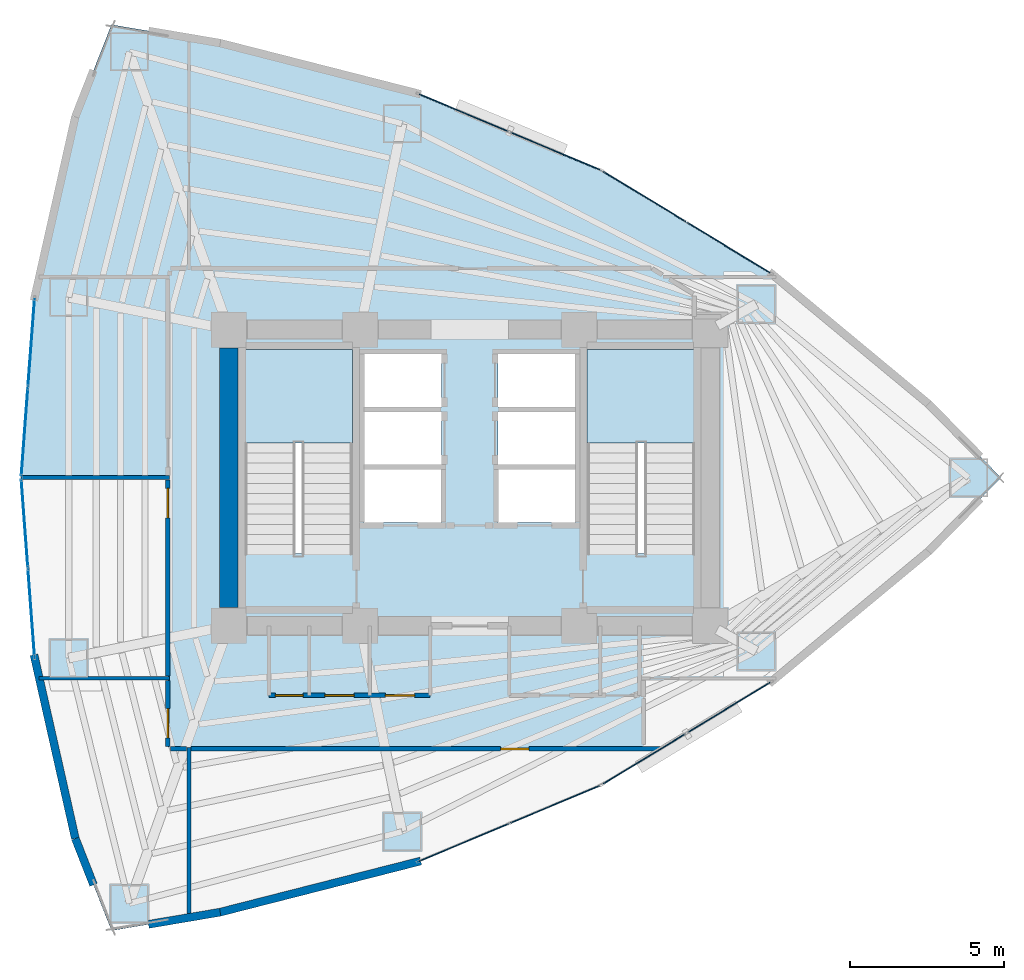
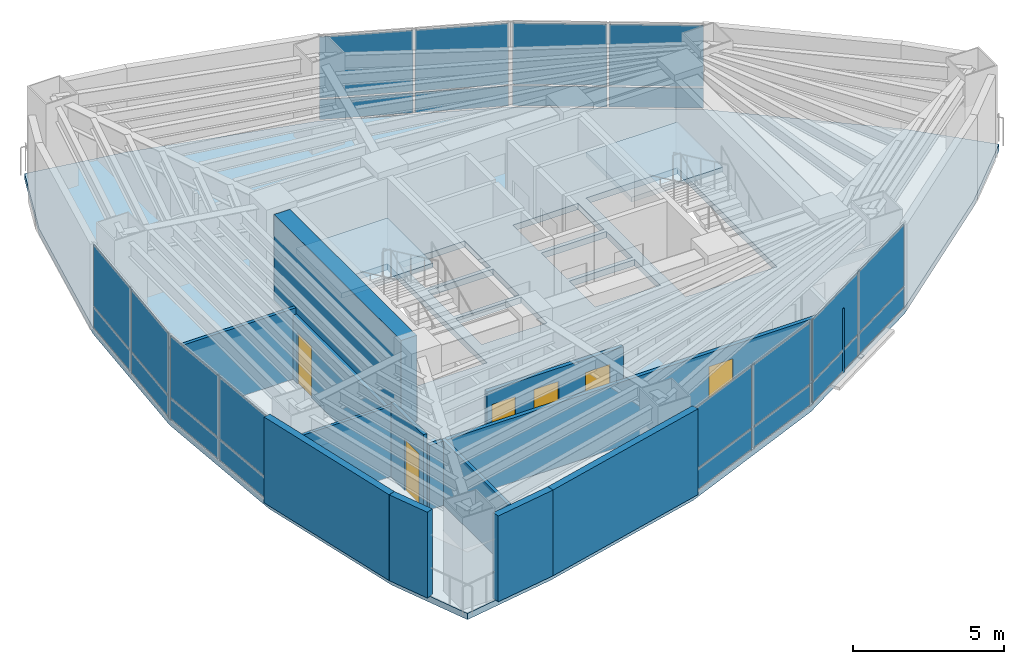
# One storey, part 12 of 16: 24 plates, 13 walls, 6 doors, 3 slabs, 6 openings, 8 elements without a shape of their own.
"""IFC4 building model written with IfcOpenShell, lengths in metres."""

import ifcopenshell
import ifcopenshell.guid

model = None  # the IFC model being written
_history = None  # IfcOwnerHistory: only IFC2X3 demands one
_inside = {}  # id of a spatial element -> (the spatial element, [elements in it])
_under = {}  # id of a project, library or spatial element -> (it, [spatial elements below it])
_declared = {}  # id of a project -> (the project, [libraries it declares])
_typed = {}  # id of a type object -> (the type object, [elements of that type])
_made_of = {}  # id of a material, layer set ... -> (it, [elements and type objects made of it])


def new_model(schema):
    """Start an empty IFC model of exactly this schema.

    Asked for "IFC4X3", IfcOpenShell would pick the latest addendum, in which some entities
    have other attributes; the version numbers below select the first issue.
    IFC2X3 requires an IfcOwnerHistory on every rooted entity: one is made here for all.
    """
    global model, _history
    if schema == "IFC4X3":
        model = ifcopenshell.file(schema_version=(4, 3, 0, 0))
    else:
        model = ifcopenshell.file(schema=schema)
    _inside.clear()
    _under.clear()
    _declared.clear()
    _typed.clear()
    _made_of.clear()
    _history = None
    if model.schema == "IFC2X3":
        org = make("IfcOrganization", Name="unknown")
        user = make(
            "IfcPersonAndOrganization",
            ThePerson=make("IfcPerson", FamilyName="unknown"),
            TheOrganization=org,
        )
        app = make(
            "IfcApplication",
            ApplicationDeveloper=org,
            Version="unknown",
            ApplicationFullName="unknown",
            ApplicationIdentifier="unknown",
        )
        _history = make(
            "IfcOwnerHistory",
            OwningUser=user,
            OwningApplication=app,
            ChangeAction="ADDED",
            CreationDate=0,
        )
    return model


def make(cls, **values):
    """One entity of the class cls with the attributes given. An attribute that is None is left unset."""
    return model.create_entity(
        cls, **{name: value for name, value in values.items() if value is not None}
    )


def rooted(cls, **values):
    """An entity with a GlobalId (a new one), such as an element, a storey or a relation."""
    return make(cls, GlobalId=ifcopenshell.guid.new(), OwnerHistory=_history, **values)


def si_unit(unit_type, name, prefix=None):
    """IfcSIUnit, for example si_unit("LENGTHUNIT", "METRE", prefix="MILLI")."""
    return make("IfcSIUnit", UnitType=unit_type, Prefix=prefix, Name=name)


def assignment(units):
    """IfcUnitAssignment: the units of a project."""
    return None if units is None else make("IfcUnitAssignment", Units=units)


def point(xyz):
    """IfcCartesianPoint."""
    return None if xyz is None else make("IfcCartesianPoint", Coordinates=xyz)


def direction(xyz):
    """IfcDirection."""
    return None if xyz is None else make("IfcDirection", DirectionRatios=xyz)


def frame(location, z_axis=None, x_axis=None):
    """IfcAxis2Placement3D, a coordinate frame: its origin and axes. An axis left out is left unset."""
    return make(
        "IfcAxis2Placement3D",
        Location=point(location),
        Axis=direction(z_axis),
        RefDirection=direction(x_axis),
    )


def frame_2d(location, x_axis=None):
    """IfcAxis2Placement2D, a coordinate frame in the plane: its origin and x axis."""
    return make(
        "IfcAxis2Placement2D", Location=point(location), RefDirection=direction(x_axis)
    )


def origin():
    """The frame at (0, 0, 0) with its axes left unset."""
    return frame((0.0, 0.0, 0.0))


def origin_2d():
    """The frame at (0, 0) in the plane with its x axis left unset."""
    return frame_2d((0.0, 0.0))


def place(relative_to, where):
    """IfcLocalPlacement: puts the frame where relative to a parent placement (None: the world)."""
    return make(
        "IfcLocalPlacement", PlacementRelTo=relative_to, RelativePlacement=where
    )


def context(
    kind, dimensions, precision=None, world=None, true_north=None, identifier=None
):
    """IfcGeometricRepresentationContext, for example the 3D "Model" context."""
    return make(
        "IfcGeometricRepresentationContext",
        ContextIdentifier=identifier,
        ContextType=kind,
        CoordinateSpaceDimension=dimensions,
        Precision=precision,
        WorldCoordinateSystem=world,
        TrueNorth=true_north,
    )


def subcontext(parent, identifier, kind, view, scale=None):
    """IfcGeometricRepresentationSubContext, for example "Body" below "Model"."""
    return make(
        "IfcGeometricRepresentationSubContext",
        ContextIdentifier=identifier,
        ContextType=kind,
        ParentContext=parent,
        TargetScale=scale,
        TargetView=view,
    )


def project(units=None, contexts=None):
    """IfcProject with its units and contexts."""
    return rooted(
        "IfcProject",
        Name="project",
        RepresentationContexts=contexts,
        UnitsInContext=assignment(units),
    )


def spatial(cls, under=None, at=None, **own):
    """A site, building, storey or space (cls), placed at a placement, below another one or the project."""
    s = rooted(cls, ObjectPlacement=at, **own)
    if under is not None:
        _under.setdefault(under.id(), (under, []))[1].append(s)
    return s


def polyline(points):
    """IfcPolyline through the points."""
    return make("IfcPolyline", Points=[point(p) for p in points])


def profile(cls, at=None, kind="AREA", **sizes):
    """A parametric profile (cls). Its sizes go by their IFC names, for example OverallWidth=200.0."""
    return make(cls, ProfileType=kind, Position=at, **sizes)


def rectangle(**sizes):
    """IfcRectangleProfileDef."""
    return profile("IfcRectangleProfileDef", **sizes)


def outline(outer, holes=None, kind="AREA"):
    """IfcArbitraryClosedProfileDef: a profile drawn as a closed curve; with holes, ...WithVoids."""
    if holes is None:
        return make("IfcArbitraryClosedProfileDef", ProfileType=kind, OuterCurve=outer)
    return make(
        "IfcArbitraryProfileDefWithVoids",
        ProfileType=kind,
        OuterCurve=outer,
        InnerCurves=holes,
    )


def extrude(swept, where, along, depth):
    """IfcExtrudedAreaSolid: the profile swept, set in the frame where, extruded along a direction by depth."""
    return make(
        "IfcExtrudedAreaSolid",
        SweptArea=swept,
        Position=where,
        ExtrudedDirection=direction(along),
        Depth=depth,
    )


def shape(context_of_items, identifier, shape_type, items):
    """IfcShapeRepresentation: the items that make up one representation, for example the "Body"."""
    return make(
        "IfcShapeRepresentation",
        ContextOfItems=context_of_items,
        RepresentationIdentifier=identifier,
        RepresentationType=shape_type,
        Items=items,
    )


def material(Name=None, Category=None):
    """IfcMaterial."""
    return make("IfcMaterial", Name=Name, Category=Category)


def layer(
    of_material, thickness, ventilated=None, Name=None, Category=None, Priority=None
):
    """IfcMaterialLayer: one layer of a wall or slab, of a material (None: an air gap)."""
    return make(
        "IfcMaterialLayer",
        Material=of_material,
        LayerThickness=thickness,
        IsVentilated=ventilated,
        Name=Name,
        Category=Category,
        Priority=Priority,
    )


def layer_set(layers, Name=None):
    """IfcMaterialLayerSet."""
    return make("IfcMaterialLayerSet", MaterialLayers=layers, LayerSetName=Name)


def made_of(thing, what):
    """Note that an element or type object is made of a material, layer set ...; save() writes the relation."""
    if what is not None:
        _made_of.setdefault(what.id(), (what, []))[1].append(thing)
    return thing


def type_object(cls, material=None, **own):
    """A type object (cls), such as IfcWallType, which elements share."""
    return made_of(rooted(cls, **own), material)


def element(
    cls,
    number,
    at=None,
    inside=None,
    cuts=None,
    type_object=None,
    material=None,
    context=None,
    identifier="Body",
    shape_type=None,
    held_by="IfcProductDefinitionShape",
    body=None,
    shapes=None,
    **own,
):
    """One element of the class cls, such as IfcWall. Its Tag is "e" and its number.

    at: its placement. inside: the storey or other place that contains it. cuts: it is an
    opening in that element (IfcRelVoidsElement). A single representation is given by context,
    identifier, shape_type and body (its items); several are given by shapes. held_by: the class
    of the entity that holds the representations. save() writes the other relations.
    """
    e = rooted(cls, Tag="e%d" % number, ObjectPlacement=at, **own)
    if body is not None:
        shapes = [shape(context, identifier, shape_type, body)]
    if shapes is not None:
        e.Representation = make(held_by, Representations=shapes)
    if inside is not None:
        _inside.setdefault(inside.id(), (inside, []))[1].append(e)
    if cuts is not None:
        rooted(
            "IfcRelVoidsElement", RelatingBuildingElement=cuts, RelatedOpeningElement=e
        )
    if type_object is not None:
        _typed.setdefault(type_object.id(), (type_object, []))[1].append(e)
    return made_of(e, material)


def fill(opening, filler):
    """IfcRelFillsElement: the door or window that sits in an opening."""
    return rooted(
        "IfcRelFillsElement",
        RelatingOpeningElement=opening,
        RelatedBuildingElement=filler,
    )


def aggregate(whole, parts):
    """IfcRelAggregates: a whole, such as a stair, and the parts it consists of."""
    return rooted("IfcRelAggregates", RelatingObject=whole, RelatedObjects=parts)


def save(model, path):
    """Write the relations noted so far, then the file.

    IfcRelAggregates (storeys below a building ...), IfcRelContainedInSpatialStructure (elements
    in a storey), IfcRelDefinesByType, IfcRelAssociatesMaterial and IfcRelDeclares: one each for
    every whole, place, type object, material and project.
    """
    for whole, parts in _under.values():
        aggregate(whole, parts)
    for where, things in _inside.values():
        rooted(
            "IfcRelContainedInSpatialStructure",
            RelatedElements=things,
            RelatingStructure=where,
        )
    for kind, things in _typed.values():
        rooted("IfcRelDefinesByType", RelatedObjects=things, RelatingType=kind)
    for what, things in _made_of.values():
        rooted("IfcRelAssociatesMaterial", RelatedObjects=things, RelatingMaterial=what)
    for by, libraries in _declared.values():
        rooted("IfcRelDeclares", RelatingContext=by, RelatedDefinitions=libraries)
    model.write(path)


model = new_model("IFC4")

# Units and contexts
model_context = context("Model", 3, precision=1e-05, world=origin(), true_north=direction((0.0, 1.0)))
body_context = subcontext(model_context, "Body", "Model", "MODEL_VIEW")
ifc_project = project(units=[si_unit("LENGTHUNIT", "METRE"), si_unit("AREAUNIT", "SQUARE_METRE"), si_unit("VOLUMEUNIT", "CUBIC_METRE"), si_unit("PLANEANGLEUNIT", "RADIAN"), si_unit("MASSUNIT", "GRAM", prefix="KILO")], contexts=[model_context])

# Site, building, storey
site_placement = place(None, origin())
site = spatial("IfcSite", under=ifc_project, at=site_placement, CompositionType="ELEMENT")
building_placement = place(site_placement, origin())
building = spatial("IfcBuilding", under=site, at=building_placement, Name="Menara Vayukalpa", CompositionType="ELEMENT")
storey_placement = place(building_placement, frame((0.0, 0.0, 75.9599609375)))
storey = spatial("IfcBuildingStorey", under=building, at=storey_placement, Name="L18", CompositionType="ELEMENT", Elevation=75.9599609375)

# Curtain wall, plates
ifc_material_1 = material(Name="Anodised Terracotta Aluminium Alloy 6063-T6", Category="masonry")
ifc_layer_1 = layer(ifc_material_1, 0.1650390625)
ifc_layer_set_1 = layer_set([ifc_layer_1], Name="Anodised Terracotta Aluminium Alloy 6063-T6")
curtain_wall_type = type_object("IfcCurtainWallType", Name="CW-CW2", PredefinedType="USERDEFINED", material=ifc_layer_set_1)
curtain_wall_1_placement = place(storey_placement, origin())
curtain_wall_1 = element("IfcCurtainWall", 1, at=curtain_wall_1_placement, inside=storey, type_object=curtain_wall_type, Name="L18 Low Rise Terracotta Ribbon Curtain Wall CW2 04", ObjectType="UNITISED", PredefinedType="USERDEFINED")
ifc_material_2 = material(Name="Low-E Double Glazing", Category="glass")
ifc_layer_2 = layer(ifc_material_2, 0.031982421875)
ifc_layer_set_2 = layer_set([ifc_layer_2], Name="Low-E Double Glazing")
plate_type = type_object("IfcPlateType", Name="CWP-CW2", PredefinedType="CURTAIN_PANEL", material=ifc_layer_set_2)
plate_1_placement = place(storey_placement, frame((33.990966796875, 29.44921875, 0.06494140625), z_axis=(0.0, 0.0, 1.0), x_axis=(-0.854663123674, 0.519182959112, 0.0)))
plate_1 = element("IfcPlate", 2, at=plate_1_placement, type_object=plate_type, Name="CW2 panel 1.1", PredefinedType="CURTAIN_PANEL", context=body_context, shape_type="SweptSolid", body=[
    extrude(rectangle(XDim=3.12451171875, YDim=0.031982421875, at=origin_2d()), origin(), (0.0, 0.0, 1.0), 0.802490234375),
])
plate_2_placement = place(storey_placement, frame((33.990966796875, 29.44921875, 0.9326171875), z_axis=(0.0, 0.0, 1.0), x_axis=(-0.854663123674, 0.519182959112, 0.0)))
plate_2 = element("IfcPlate", 3, at=plate_2_placement, type_object=plate_type, Name="CW2 panel 1.2", PredefinedType="CURTAIN_PANEL", context=body_context, shape_type="SweptSolid", body=[
    extrude(rectangle(XDim=3.12451171875, YDim=0.031982421875, at=origin_2d()), origin(), (0.0, 0.0, 1.0), 2.472412109375),
])
plate_3_placement = place(storey_placement, frame((31.260986328125, 31.10791015625, 0.06494140625), z_axis=(0.0, 0.0, 1.0), x_axis=(-0.854663123674, 0.519182959112, 0.0)))
plate_3 = element("IfcPlate", 4, at=plate_3_placement, type_object=plate_type, Name="CW2 panel 2.1", PredefinedType="CURTAIN_PANEL", context=body_context, shape_type="SweptSolid", body=[
    extrude(rectangle(XDim=3.12451171875, YDim=0.031982421875, at=origin_2d()), origin(), (0.0, 0.0, 1.0), 0.802490234375),
])
plate_4_placement = place(storey_placement, frame((31.260986328125, 31.10791015625, 0.9326171875), z_axis=(0.0, 0.0, 1.0), x_axis=(-0.854663123674, 0.519182959112, 0.0)))
plate_4 = element("IfcPlate", 5, at=plate_4_placement, type_object=plate_type, Name="CW2 panel 2.2", PredefinedType="CURTAIN_PANEL", context=body_context, shape_type="SweptSolid", body=[
    extrude(rectangle(XDim=3.12451171875, YDim=0.031982421875, at=origin_2d()), origin(), (0.0, 0.0, 1.0), 2.472412109375),
])
aggregate(curtain_wall_1, [plate_1, plate_2, plate_3, plate_4])

curtain_wall_2_placement = place(storey_placement, origin())
curtain_wall_2 = element("IfcCurtainWall", 6, at=curtain_wall_2_placement, inside=storey, type_object=curtain_wall_type, Name="L18 Low Rise Terracotta Ribbon Curtain Wall CW2 05", ObjectType="UNITISED", PredefinedType="USERDEFINED")
plate_5_placement = place(storey_placement, frame((28.360107421875, 32.5849609375, 0.06494140625), z_axis=(0.0, 0.0, 1.0), x_axis=(-0.922543300632, 0.38589358437, 0.0)))
plate_5 = element("IfcPlate", 7, at=plate_5_placement, type_object=plate_type, Name="CW2 panel 1.1", PredefinedType="CURTAIN_PANEL", context=body_context, shape_type="SweptSolid", body=[
    extrude(rectangle(XDim=3.124267578125, YDim=0.031982421875, at=origin_2d()), origin(), (0.0, 0.0, 1.0), 0.802490234375),
])
plate_6_placement = place(storey_placement, frame((28.360107421875, 32.5849609375, 0.9326171875), z_axis=(0.0, 0.0, 1.0), x_axis=(-0.922543300632, 0.38589358437, 0.0)))
plate_6 = element("IfcPlate", 8, at=plate_6_placement, type_object=plate_type, Name="CW2 panel 1.2", PredefinedType="CURTAIN_PANEL", context=body_context, shape_type="SweptSolid", body=[
    extrude(rectangle(XDim=3.124267578125, YDim=0.031982421875, at=origin_2d()), origin(), (0.0, 0.0, 1.0), 2.472412109375),
])
plate_7_placement = place(storey_placement, frame((25.4130859375, 33.817626953125, 0.06494140625), z_axis=(0.0, 0.0, 1.0), x_axis=(-0.922543300632, 0.38589358437, 0.0)))
plate_7 = element("IfcPlate", 9, at=plate_7_placement, type_object=plate_type, Name="CW2 panel 2.1", PredefinedType="CURTAIN_PANEL", context=body_context, shape_type="SweptSolid", body=[
    extrude(rectangle(XDim=3.124267578125, YDim=0.031982421875, at=origin_2d()), origin(), (0.0, 0.0, 1.0), 0.802490234375),
])
plate_8_placement = place(storey_placement, frame((25.4130859375, 33.817626953125, 0.9326171875), z_axis=(0.0, 0.0, 1.0), x_axis=(-0.922543300632, 0.38589358437, 0.0)))
plate_8 = element("IfcPlate", 10, at=plate_8_placement, type_object=plate_type, Name="CW2 panel 2.2", PredefinedType="CURTAIN_PANEL", context=body_context, shape_type="SweptSolid", body=[
    extrude(rectangle(XDim=3.124267578125, YDim=0.031982421875, at=origin_2d()), origin(), (0.0, 0.0, 1.0), 2.472412109375),
])
aggregate(curtain_wall_2, [plate_5, plate_6, plate_7, plate_8])

curtain_wall_3_placement = place(storey_placement, origin())
curtain_wall_3 = element("IfcCurtainWall", 11, at=curtain_wall_3_placement, inside=storey, type_object=curtain_wall_type, Name="L18 Low Rise Terracotta Ribbon Curtain Wall CW2 10", ObjectType="UNITISED", PredefinedType="USERDEFINED")
plate_9_placement = place(storey_placement, frame((11.395751953125, 26.366943359375, 0.06494140625), z_axis=(0.0, 0.0, 1.0), x_axis=(-0.07478528334, -0.997199659745, 0.0)))
plate_9 = element("IfcPlate", 12, at=plate_9_placement, type_object=plate_type, Name="CW2 panel 1.1", PredefinedType="CURTAIN_PANEL", context=body_context, shape_type="SweptSolid", body=[
    extrude(rectangle(XDim=2.826171875, YDim=0.031982421875, at=origin_2d()), origin(), (0.0, 0.0, 1.0), 0.802490234375),
])
plate_10_placement = place(storey_placement, frame((11.395751953125, 26.366943359375, 0.9326171875), z_axis=(0.0, 0.0, 1.0), x_axis=(-0.07478528334, -0.997199659745, 0.0)))
plate_10 = element("IfcPlate", 13, at=plate_10_placement, type_object=plate_type, Name="CW2 panel 1.2", PredefinedType="CURTAIN_PANEL", context=body_context, shape_type="SweptSolid", body=[
    extrude(rectangle(XDim=2.826171875, YDim=0.031982421875, at=origin_2d()), origin(), (0.0, 0.0, 1.0), 2.472412109375),
])
plate_11_placement = place(storey_placement, frame((11.17919921875, 23.478759765625, 0.06494140625), z_axis=(0.0, 0.0, 1.0), x_axis=(-0.07478528334, -0.997199659745, 0.0)))
plate_11 = element("IfcPlate", 14, at=plate_11_placement, type_object=plate_type, Name="CW2 panel 2.1", PredefinedType="CURTAIN_PANEL", context=body_context, shape_type="SweptSolid", body=[
    extrude(rectangle(XDim=2.826171875, YDim=0.031982421875, at=origin_2d()), origin(), (0.0, 0.0, 1.0), 0.802490234375),
])
plate_12_placement = place(storey_placement, frame((11.17919921875, 23.478759765625, 0.9326171875), z_axis=(0.0, 0.0, 1.0), x_axis=(-0.07478528334, -0.997199659745, 0.0)))
plate_12 = element("IfcPlate", 15, at=plate_12_placement, type_object=plate_type, Name="CW2 panel 2.2", PredefinedType="CURTAIN_PANEL", context=body_context, shape_type="SweptSolid", body=[
    extrude(rectangle(XDim=2.826171875, YDim=0.031982421875, at=origin_2d()), origin(), (0.0, 0.0, 1.0), 2.472412109375),
])
aggregate(curtain_wall_3, [plate_9, plate_10, plate_11, plate_12])

curtain_wall_4_placement = place(storey_placement, origin())
curtain_wall_4 = element("IfcCurtainWall", 16, at=curtain_wall_4_placement, inside=storey, type_object=curtain_wall_type, Name="L18 Low Rise Terracotta Ribbon Curtain Wall CW2 11", ObjectType="UNITISED", PredefinedType="USERDEFINED")
plate_13_placement = place(storey_placement, frame((11.17919921875, 20.521240234375, 0.06494140625), z_axis=(0.0, 0.0, 1.0), x_axis=(0.07478528334, -0.997199659745, 0.0)))
plate_13 = element("IfcPlate", 17, at=plate_13_placement, type_object=plate_type, Name="CW2 panel 1.1", PredefinedType="CURTAIN_PANEL", context=body_context, shape_type="SweptSolid", body=[
    extrude(rectangle(XDim=2.826171875, YDim=0.031982421875, at=origin_2d()), origin(), (0.0, 0.0, 1.0), 0.802490234375),
])
plate_14_placement = place(storey_placement, frame((11.17919921875, 20.521240234375, 0.9326171875), z_axis=(0.0, 0.0, 1.0), x_axis=(0.07478528334, -0.997199659745, 0.0)))
plate_14 = element("IfcPlate", 18, at=plate_14_placement, type_object=plate_type, Name="CW2 panel 1.2", PredefinedType="CURTAIN_PANEL", context=body_context, shape_type="SweptSolid", body=[
    extrude(rectangle(XDim=2.826171875, YDim=0.031982421875, at=origin_2d()), origin(), (0.0, 0.0, 1.0), 2.472412109375),
])
plate_15_placement = place(storey_placement, frame((11.395751953125, 17.633056640625, 0.06494140625), z_axis=(0.0, 0.0, 1.0), x_axis=(0.07478528334, -0.997199659745, 0.0)))
plate_15 = element("IfcPlate", 19, at=plate_15_placement, type_object=plate_type, Name="CW2 panel 2.1", PredefinedType="CURTAIN_PANEL", context=body_context, shape_type="SweptSolid", body=[
    extrude(rectangle(XDim=2.826171875, YDim=0.031982421875, at=origin_2d()), origin(), (0.0, 0.0, 1.0), 0.802490234375),
])
plate_16_placement = place(storey_placement, frame((11.395751953125, 17.633056640625, 0.9326171875), z_axis=(0.0, 0.0, 1.0), x_axis=(0.07478528334, -0.997199659745, 0.0)))
plate_16 = element("IfcPlate", 20, at=plate_16_placement, type_object=plate_type, Name="CW2 panel 2.2", PredefinedType="CURTAIN_PANEL", context=body_context, shape_type="SweptSolid", body=[
    extrude(rectangle(XDim=2.826171875, YDim=0.031982421875, at=origin_2d()), origin(), (0.0, 0.0, 1.0), 2.472412109375),
])
aggregate(curtain_wall_4, [plate_13, plate_14, plate_15, plate_16])

curtain_wall_5_placement = place(storey_placement, origin())
curtain_wall_5 = element("IfcCurtainWall", 21, at=curtain_wall_5_placement, inside=storey, type_object=curtain_wall_type, Name="L18 Low Rise Terracotta Ribbon Curtain Wall CW2 16", ObjectType="UNITISED", PredefinedType="USERDEFINED")
plate_17_placement = place(storey_placement, frame((25.4130859375, 10.182373046875, 0.06494140625), z_axis=(0.0, 0.0, 1.0), x_axis=(0.922543300632, 0.38589358437, 0.0)))
plate_17 = element("IfcPlate", 22, at=plate_17_placement, type_object=plate_type, Name="CW2 panel 1.1", PredefinedType="CURTAIN_PANEL", context=body_context, shape_type="SweptSolid", body=[
    extrude(rectangle(XDim=3.124267578125, YDim=0.031982421875, at=origin_2d()), origin(), (0.0, 0.0, 1.0), 0.802490234375),
])
plate_18_placement = place(storey_placement, frame((25.4130859375, 10.182373046875, 0.9326171875), z_axis=(0.0, 0.0, 1.0), x_axis=(0.922543300632, 0.38589358437, 0.0)))
plate_18 = element("IfcPlate", 23, at=plate_18_placement, type_object=plate_type, Name="CW2 panel 1.2", PredefinedType="CURTAIN_PANEL", context=body_context, shape_type="SweptSolid", body=[
    extrude(rectangle(XDim=3.124267578125, YDim=0.031982421875, at=origin_2d()), origin(), (0.0, 0.0, 1.0), 2.472412109375),
])
plate_19_placement = place(storey_placement, frame((28.360107421875, 11.4150390625, 0.06494140625), z_axis=(0.0, 0.0, 1.0), x_axis=(0.922543300632, 0.38589358437, 0.0)))
plate_19 = element("IfcPlate", 24, at=plate_19_placement, type_object=plate_type, Name="CW2 panel 2.1", PredefinedType="CURTAIN_PANEL", context=body_context, shape_type="SweptSolid", body=[
    extrude(rectangle(XDim=3.124267578125, YDim=0.031982421875, at=origin_2d()), origin(), (0.0, 0.0, 1.0), 0.802490234375),
])
plate_20_placement = place(storey_placement, frame((28.360107421875, 11.4150390625, 0.9326171875), z_axis=(0.0, 0.0, 1.0), x_axis=(0.922543300632, 0.38589358437, 0.0)))
plate_20 = element("IfcPlate", 25, at=plate_20_placement, type_object=plate_type, Name="CW2 panel 2.2", PredefinedType="CURTAIN_PANEL", context=body_context, shape_type="SweptSolid", body=[
    extrude(rectangle(XDim=3.124267578125, YDim=0.031982421875, at=origin_2d()), origin(), (0.0, 0.0, 1.0), 2.472412109375),
])
aggregate(curtain_wall_5, [plate_17, plate_18, plate_19, plate_20])

curtain_wall_6_placement = place(storey_placement, origin())
curtain_wall_6 = element("IfcCurtainWall", 26, at=curtain_wall_6_placement, inside=storey, type_object=curtain_wall_type, Name="L18 Low Rise Terracotta Ribbon Curtain Wall CW2 17", ObjectType="UNITISED", PredefinedType="USERDEFINED")
plate_21_placement = place(storey_placement, frame((31.260986328125, 12.89208984375, 0.06494140625), z_axis=(0.0, 0.0, 1.0), x_axis=(0.854663123674, 0.519182959112, 0.0)))
plate_21 = element("IfcPlate", 27, at=plate_21_placement, type_object=plate_type, Name="CW2 panel 1.1", PredefinedType="CURTAIN_PANEL", context=body_context, shape_type="SweptSolid", body=[
    extrude(rectangle(XDim=3.12451171875, YDim=0.031982421875, at=origin_2d()), origin(), (0.0, 0.0, 1.0), 0.802490234375),
])
plate_22_placement = place(storey_placement, frame((31.260986328125, 12.89208984375, 0.9326171875), z_axis=(0.0, 0.0, 1.0), x_axis=(0.854663123674, 0.519182959112, 0.0)))
plate_22 = element("IfcPlate", 28, at=plate_22_placement, type_object=plate_type, Name="CW2 panel 1.2", PredefinedType="CURTAIN_PANEL", context=body_context, shape_type="SweptSolid", body=[
    extrude(rectangle(XDim=3.12451171875, YDim=0.031982421875, at=origin_2d()), origin(), (0.0, 0.0, 1.0), 2.472412109375),
])
plate_23_placement = place(storey_placement, frame((33.990966796875, 14.55078125, 0.06494140625), z_axis=(0.0, 0.0, 1.0), x_axis=(0.854663123674, 0.519182959112, 0.0)))
plate_23 = element("IfcPlate", 29, at=plate_23_placement, type_object=plate_type, Name="CW2 panel 2.1", PredefinedType="CURTAIN_PANEL", context=body_context, shape_type="SweptSolid", body=[
    extrude(rectangle(XDim=3.12451171875, YDim=0.031982421875, at=origin_2d()), origin(), (0.0, 0.0, 1.0), 0.802490234375),
])
plate_24_placement = place(storey_placement, frame((33.990966796875, 14.55078125, 0.9326171875), z_axis=(0.0, 0.0, 1.0), x_axis=(0.854663123674, 0.519182959112, 0.0)))
plate_24 = element("IfcPlate", 30, at=plate_24_placement, type_object=plate_type, Name="CW2 panel 2.2", PredefinedType="CURTAIN_PANEL", context=body_context, shape_type="SweptSolid", body=[
    extrude(rectangle(XDim=3.12451171875, YDim=0.031982421875, at=origin_2d()), origin(), (0.0, 0.0, 1.0), 2.472412109375),
])
aggregate(curtain_wall_6, [plate_21, plate_22, plate_23, plate_24])

# Slab
ifc_material_3 = material(Name="Concrete C40/50", Category="concrete")
ifc_layer_3 = layer(ifc_material_3, 0.25)
ifc_layer_set_3 = layer_set([ifc_layer_3], Name="Concrete C40/50")
slab_type_1 = type_object("IfcSlabType", Name="SLB-FL250", PredefinedType="FLOOR", material=ifc_layer_set_3)
slab_1_placement = place(storey_placement, frame((0.0, 0.0, -0.25)))
element("IfcSlab", 31, at=slab_1_placement, inside=storey, type_object=slab_type_1, Name="L18 Structural Floor Slab", PredefinedType="FLOOR", context=body_context, shape_type="SweptSolid", body=[
    extrude(outline(polyline([(40.4677734375, 19.6123046875), (42.81201171875, 22.0), (40.4677734375, 24.3876953125), (35.385986328125, 28.601806640625), (29.865966796875, 31.955078125), (23.907470703125, 34.447509765625), (17.510498046875, 36.0791015625), (13.993896484375, 36.676025390625), (12.822021484375, 33.69140625), (11.506591796875, 27.845703125), (11.068115234375, 22.0), (11.506591796875, 16.154296875), (12.822021484375, 10.30859375), (13.993896484375, 7.323974609375), (17.510498046875, 7.9208984375), (23.907470703125, 9.552490234375), (29.865966796875, 12.044921875), (35.385986328125, 15.398193359375), (40.4677734375, 19.6123046875)]), holes=[polyline([(21.800048828125, 19.550048828125), (21.800048828125, 26.14990234375), (18.300048828125, 26.14990234375), (18.300048828125, 19.550048828125), (21.800048828125, 19.550048828125)]), polyline([(32.89990234375, 19.550048828125), (32.89990234375, 26.14990234375), (29.39990234375, 26.14990234375), (29.39990234375, 19.550048828125), (32.89990234375, 19.550048828125)]), polyline([(22.179931640625, 20.550048828125), (24.679931640625, 20.550048828125), (24.679931640625, 22.27001953125), (22.179931640625, 22.27001953125), (22.179931640625, 20.550048828125)]), polyline([(26.52001953125, 20.550048828125), (29.02001953125, 20.550048828125), (29.02001953125, 22.27001953125), (26.52001953125, 22.27001953125), (26.52001953125, 20.550048828125)]), polyline([(22.179931640625, 22.419921875), (24.679931640625, 22.419921875), (24.679931640625, 24.139892578125), (22.179931640625, 24.139892578125), (22.179931640625, 22.419921875)]), polyline([(22.179931640625, 24.2900390625), (24.679931640625, 24.2900390625), (24.679931640625, 26.010009765625), (22.179931640625, 26.010009765625), (22.179931640625, 24.2900390625)]), polyline([(26.52001953125, 24.2900390625), (29.02001953125, 24.2900390625), (29.02001953125, 26.010009765625), (26.52001953125, 26.010009765625), (26.52001953125, 24.2900390625)]), polyline([(26.52001953125, 22.419921875), (29.02001953125, 22.419921875), (29.02001953125, 24.139892578125), (26.52001953125, 24.139892578125), (26.52001953125, 22.419921875)])]), origin(), (0.0, 0.0, 1.0), 0.25),
])

# Stair, slab
ifc_material_4 = material(Name="Precast Concrete C40/50", Category="concrete")
stair_type = type_object("IfcStairType", Name="STR-T04", PredefinedType="DOUBLE_RETURN_STAIR", material=ifc_material_4)
stair_1_placement = place(storey_placement, origin())
stair_1 = element("IfcStair", 32, at=stair_1_placement, inside=storey, type_object=stair_type, Name="L18 Core Exit Stair ST-1", PredefinedType="DOUBLE_RETURN_STAIR")
ifc_material_5 = material(Name="Precast Concrete C40/50", Category="concrete")
ifc_layer_4 = layer(ifc_material_5, 0.199951171875)
ifc_layer_set_4 = layer_set([ifc_layer_4], Name="Precast Concrete C40/50")
slab_type_2 = type_object("IfcSlabType", Name="SLB-LND200", PredefinedType="LANDING", material=ifc_layer_set_4)
slab_2_placement = place(storey_placement, frame((0.0, 0.0, 1.66015625)))
slab_2 = element("IfcSlab", 33, at=slab_2_placement, type_object=slab_type_2, Name="ST-1 landing 1", PredefinedType="LANDING", context=body_context, shape_type="SweptSolid", body=[
    extrude(outline(polyline([(21.800048828125, 23.1298828125), (21.800048828125, 26.14990234375), (18.300048828125, 26.14990234375), (18.300048828125, 23.1298828125), (21.800048828125, 23.1298828125)])), origin(), (0.0, 0.0, 1.0), 0.199951171875),
])
aggregate(stair_1, [slab_2])

stair_2_placement = place(storey_placement, origin())
stair_2 = element("IfcStair", 34, at=stair_2_placement, inside=storey, type_object=stair_type, Name="L18 Core Exit Stair ST-2", PredefinedType="DOUBLE_RETURN_STAIR")
slab_3_placement = place(storey_placement, frame((0.0, 0.0, 1.66015625)))
slab_3 = element("IfcSlab", 35, at=slab_3_placement, type_object=slab_type_2, Name="ST-2 landing 1", PredefinedType="LANDING", context=body_context, shape_type="SweptSolid", body=[
    extrude(outline(polyline([(32.89990234375, 23.1298828125), (32.89990234375, 26.14990234375), (29.39990234375, 26.14990234375), (29.39990234375, 23.1298828125), (32.89990234375, 23.1298828125)])), origin(), (0.0, 0.0, 1.0), 0.199951171875),
])
aggregate(stair_2, [slab_3])

# Walls
ifc_material_6 = material(Name="Concrete C70/85", Category="concrete")
ifc_layer_5 = layer(ifc_material_6, 0.60009765625)
ifc_layer_set_5 = layer_set([ifc_layer_5], Name="Concrete C70/85")
wall_type_1 = type_object("IfcWallType", Name="WAL-CW600", PredefinedType="SHEAR", material=ifc_layer_set_5)
wall_1_placement = place(storey_placement, frame((17.800048828125, 17.794921875, 0.0), z_axis=(0.0, 0.0, 1.0), x_axis=(0.0, 1.0, 0.0)))
element("IfcWall", 36, at=wall_1_placement, inside=storey, type_object=wall_type_1, Name="L18 Buttressed Core Shear Wall CWW1", PredefinedType="SHEAR", context=body_context, shape_type="SweptSolid", body=[
    extrude(rectangle(XDim=8.41015625, YDim=0.60009765625, at=frame_2d((4.205078125, 0.0))), origin(), (0.0, 0.0, 1.0), 3.469970703125),
])
ifc_material_7 = material(Name="Insulated Precast Concrete C40/50", Category="concrete")
ifc_layer_6 = layer(ifc_material_7, 0.260009765625)
ifc_layer_set_6 = layer_set([ifc_layer_6], Name="Insulated Precast Concrete C40/50")
wall_type_2 = type_object("IfcWallType", Name="WAL-EXT260", PredefinedType="PARTITIONING", material=ifc_layer_set_6)
wall_2_placement = place(storey_placement, frame((12.822021484375, 10.30859375, 0.0), z_axis=(0.0, 0.0, 1.0), x_axis=(-0.219535044336, 0.975604614743, 0.0)))
element("IfcWall", 37, at=wall_2_placement, inside=storey, type_object=wall_type_2, Name="L18 Perimeter Terracotta Pier Wall 12", PredefinedType="PARTITIONING", context=body_context, shape_type="SweptSolid", body=[
    extrude(rectangle(XDim=6.10205078125, YDim=0.260009765625, at=frame_2d((3.051025390625, 0.0))), origin(), (0.0, 0.0, 1.0), 3.469970703125),
])
wall_3_placement = place(storey_placement, frame((13.411865234375, 8.806396484375, 0.0), z_axis=(0.0, 0.0, 1.0), x_axis=(-0.365488551504, 0.930815835018, 0.0)))
element("IfcWall", 38, at=wall_3_placement, inside=storey, type_object=wall_type_2, Name="L18 Perimeter Terracotta Pier Wall 13", PredefinedType="PARTITIONING", context=body_context, shape_type="SweptSolid", body=[
    extrude(rectangle(XDim=1.61376953125, YDim=0.260009765625, at=frame_2d((0.806884765625, 0.0))), origin(), (0.0, 0.0, 1.0), 3.469970703125),
])
wall_4_placement = place(storey_placement, frame((17.516357421875, 7.921875, 0.0), z_axis=(0.0, 0.0, 1.0), x_axis=(-0.985905269947, -0.167304508875, 0.0)))
element("IfcWall", 39, at=wall_4_placement, inside=storey, type_object=wall_type_2, Name="L18 Perimeter Terracotta Pier Wall 14", PredefinedType="PARTITIONING", context=body_context, shape_type="SweptSolid", body=[
    extrude(rectangle(XDim=2.356689453125, YDim=0.260009765625, at=frame_2d((1.17822265625, 0.0))), origin(), (0.0, 0.0, 1.0), 3.469970703125),
])
wall_5_placement = place(storey_placement, frame((24.013916015625, 9.57958984375, 0.0), z_axis=(0.0, 0.0, 1.0), x_axis=(-0.968981437296, -0.247133514876, 0.0)))
element("IfcWall", 40, at=wall_5_placement, inside=storey, type_object=wall_type_2, Name="L18 Perimeter Terracotta Pier Wall 15", PredefinedType="PARTITIONING", context=body_context, shape_type="SweptSolid", body=[
    extrude(rectangle(XDim=6.717529296875, YDim=0.260009765625, at=frame_2d((3.35888671875, 0.0))), origin(), (0.0, 0.0, 1.0), 3.469970703125),
])
ifc_material_8 = material(Name="Acoustic Mineral Stud Partition", Category="masonry")
ifc_layer_7 = layer(ifc_material_8, 0.110107421875)
ifc_layer_set_7 = layer_set([ifc_layer_7], Name="Acoustic Mineral Stud Partition")
wall_type_3 = type_object("IfcWallType", Name="WAL-PT110", PredefinedType="PARTITIONING", material=ifc_layer_set_7)
wall_6_placement = place(storey_placement, frame((11.6435546875, 15.5, 0.0), z_axis=(0.0, 0.0, 1.0), x_axis=(1.0, 0.0, 0.0)))
element("IfcWall", 41, at=wall_6_placement, inside=storey, type_object=wall_type_3, Name="L18 Interior Partition IW-L18-RDIV03", PredefinedType="PARTITIONING", context=body_context, shape_type="SweptSolid", body=[
    extrude(rectangle(XDim=4.2265625, YDim=0.110107421875, at=frame_2d((2.11328125, 0.0))), origin(), (0.0, 0.0, 1.0), 2.85009765625),
])
ifc_material_9 = material(Name="Gypsum Drywall Steel Stud Assembly", Category="steel")
ifc_layer_8 = layer(ifc_material_9, 0.125)
ifc_layer_set_8 = layer_set([ifc_layer_8], Name="Gypsum Drywall Steel Stud Assembly")
wall_type_4 = type_object("IfcWallType", Name="WAL-PT125", PredefinedType="PARTITIONING", material=ifc_layer_set_8)
wall_7_placement = place(storey_placement, frame((16.5, 7.7392578125, 0.0), z_axis=(0.0, 0.0, 1.0), x_axis=(0.0, 1.0, 0.0)))
element("IfcWall", 42, at=wall_7_placement, inside=storey, type_object=wall_type_4, Name="L18 Interior Partition IW-L18-RDIV01", PredefinedType="PARTITIONING", context=body_context, shape_type="SweptSolid", body=[
    extrude(rectangle(XDim=5.520751953125, YDim=0.125, at=frame_2d((2.76025390625, 0.0))), origin(), (0.0, 0.0, 1.0), 2.60009765625),
])
wall_8_placement = place(storey_placement, frame((11.05810546875, 22.0, 0.0), z_axis=(0.0, 0.0, 1.0), x_axis=(1.0, 0.0, 0.0)))
element("IfcWall", 43, at=wall_8_placement, inside=storey, type_object=wall_type_4, Name="L18 Interior Partition IW-L18-RDIV07", PredefinedType="PARTITIONING", context=body_context, shape_type="SweptSolid", body=[
    extrude(rectangle(XDim=4.81201171875, YDim=0.125, at=frame_2d((2.406005859375, 0.0))), origin(), (0.0, 0.0, 1.0), 2.85009765625),
])

# Wall, openings, doors
ifc_material_10 = material(Name="Gypsum Drywall Acoustic Stud Assembly", Category="masonry")
ifc_layer_9 = layer(ifc_material_10, 0.14501953125)
ifc_layer_set_9 = layer_set([ifc_layer_9], Name="Gypsum Drywall Acoustic Stud Assembly")
wall_type_5 = type_object("IfcWallType", Name="WAL-PT150", PredefinedType="PARTITIONING", material=ifc_layer_set_9)
wall_9_placement = place(storey_placement, frame((19.10009765625, 14.949951171875, 0.0), z_axis=(0.0, 0.0, 1.0), x_axis=(1.0, 0.0, 0.0)))
wall_9 = element("IfcWall", 44, at=wall_9_placement, inside=storey, type_object=wall_type_5, Name="L18 Interior Partition IW-L18-SVCS-W", PredefinedType="PARTITIONING", context=body_context, shape_type="SweptSolid", body=[
    extrude(rectangle(XDim=5.219970703125, YDim=0.14501953125, at=frame_2d((2.60986328125, 0.0))), origin(), (0.0, 0.0, 1.0), 2.60009765625),
])
opening_1_placement = place(wall_9_placement, frame((0.199951171875, 0.0, 0.0)))
opening_1 = element("IfcOpeningElement", 45, at=opening_1_placement, cuts=wall_9, Name="Opening ID7", PredefinedType="OPENING", context=body_context, shape_type="SweptSolid", body=[
    extrude(rectangle(XDim=0.89990234375, YDim=2.02001953125, at=frame_2d((0.449951171875, 1.010009765625))), frame((0.0, 0.08251953125, 0.0), z_axis=(0.0, -1.0, 0.0), x_axis=(1.0, 0.0, 0.0)), (0.0, 0.0, 1.0), 0.1650390625),
])
opening_2_placement = place(wall_9_placement, frame((1.804931640625, 0.0, 0.0)))
opening_2 = element("IfcOpeningElement", 46, at=opening_2_placement, cuts=wall_9, Name="Opening ID5", PredefinedType="OPENING", context=body_context, shape_type="SweptSolid", body=[
    extrude(rectangle(XDim=0.949951171875, YDim=2.06005859375, at=frame_2d((0.47509765625, 1.030029296875))), frame((0.0, 0.08251953125, 0.0), z_axis=(0.0, -1.0, 0.0), x_axis=(1.0, 0.0, 0.0)), (0.0, 0.0, 1.0), 0.1650390625),
])
opening_3_placement = place(wall_9_placement, frame((3.764892578125, 0.0, 0.0)))
opening_3 = element("IfcOpeningElement", 47, at=opening_3_placement, cuts=wall_9, Name="Opening ID5", PredefinedType="OPENING", context=body_context, shape_type="SweptSolid", body=[
    extrude(rectangle(XDim=0.949951171875, YDim=2.06005859375, at=frame_2d((0.47509765625, 1.030029296875))), frame((0.0, 0.08251953125, 0.0), z_axis=(0.0, -1.0, 0.0), x_axis=(1.0, 0.0, 0.0)), (0.0, 0.0, 1.0), 0.1650390625),
])
ifc_material_11 = material(Name="Acoustic Hardwood Veneer Timber Door", Category="wood")
door_type_1 = type_object("IfcDoorType", Name="DR-INT95", OperationType="NOTDEFINED", PredefinedType="DOOR", material=ifc_material_11)
door_1_placement = place(opening_2_placement, origin())
door_1 = element("IfcDoor", 48, at=door_1_placement, inside=storey, type_object=door_type_1, Name="L18 Interior Door DR-L18-AWC", OperationType="SINGLE_SWING_LEFT", OverallHeight=2.06005859375, OverallWidth=0.949951171875, PredefinedType="DOOR", context=body_context, shape_type="SweptSolid", body=[
    extrude(rectangle(XDim=0.949951171875, YDim=2.06005859375, at=frame_2d((0.47509765625, 1.030029296875))), frame((0.0, 0.02490234375, 0.0), z_axis=(0.0, -1.0, 0.0), x_axis=(1.0, 0.0, 0.0)), (0.0, 0.0, 1.0), 0.050048828125),
])
fill(opening_2, door_1)
door_2_placement = place(opening_3_placement, origin())
door_2 = element("IfcDoor", 49, at=door_2_placement, inside=storey, type_object=door_type_1, Name="L18 Interior Door DR-L18-SWC", OperationType="SINGLE_SWING_RIGHT", OverallHeight=2.06005859375, OverallWidth=0.949951171875, PredefinedType="DOOR", context=body_context, shape_type="SweptSolid", body=[
    extrude(rectangle(XDim=0.949951171875, YDim=2.06005859375, at=frame_2d((0.47509765625, 1.030029296875))), frame((0.0, 0.02490234375, 0.0), z_axis=(0.0, -1.0, 0.0), x_axis=(1.0, 0.0, 0.0)), (0.0, 0.0, 1.0), 0.050048828125),
])
fill(opening_3, door_2)
ifc_material_12 = material(Name="Powder-Coated Steel Riser Access Door", Category="steel")
door_type_2 = type_object("IfcDoorType", Name="DR-RISER", OperationType="NOTDEFINED", PredefinedType="DOOR", material=ifc_material_12)
door_3_placement = place(opening_1_placement, origin())
door_3 = element("IfcDoor", 50, at=door_3_placement, inside=storey, type_object=door_type_2, Name="L18 Interior Door DR-L18-ELR", OperationType="SINGLE_SWING_RIGHT", OverallHeight=2.02001953125, OverallWidth=0.89990234375, PredefinedType="DOOR", context=body_context, shape_type="SweptSolid", body=[
    extrude(rectangle(XDim=0.89990234375, YDim=2.02001953125, at=frame_2d((0.449951171875, 1.010009765625))), frame((0.0, 0.02490234375, 0.0), z_axis=(0.0, -1.0, 0.0), x_axis=(1.0, 0.0, 0.0)), (0.0, 0.0, 1.0), 0.050048828125),
])
fill(opening_1, door_3)

# Wall, opening, door
wall_10_placement = place(storey_placement, frame((15.820068359375, 21.929931640625, 0.0), z_axis=(0.0, 0.0, 1.0), x_axis=(0.0, -1.0, 0.0)))
wall_10 = element("IfcWall", 51, at=wall_10_placement, inside=storey, type_object=wall_type_5, Name="L18 Interior Partition IW-L18-CRM01-1", PredefinedType="PARTITIONING", context=body_context, shape_type="SweptSolid", body=[
    extrude(rectangle(XDim=6.35986328125, YDim=0.14501953125, at=frame_2d((3.179931640625, 0.0))), origin(), (0.0, 0.0, 1.0), 2.60009765625),
])
opening_4_placement = place(wall_10_placement, frame((0.280029296875, 0.0, 0.0)))
opening_4 = element("IfcOpeningElement", 52, at=opening_4_placement, cuts=wall_10, Name="Opening ID5", PredefinedType="OPENING", context=body_context, shape_type="SweptSolid", body=[
    extrude(rectangle(XDim=0.949951171875, YDim=2.06005859375, at=frame_2d((0.47509765625, 1.030029296875))), frame((0.0, 0.08251953125, 0.0), z_axis=(0.0, -1.0, 0.0), x_axis=(1.0, 0.0, 0.0)), (0.0, 0.0, 1.0), 0.1650390625),
])
door_4_placement = place(opening_4_placement, origin())
door_4 = element("IfcDoor", 53, at=door_4_placement, inside=storey, type_object=door_type_1, Name="L18 Interior Door DR-L18-RM01", OperationType="SINGLE_SWING_LEFT", OverallHeight=2.06005859375, OverallWidth=0.949951171875, PredefinedType="DOOR", context=body_context, shape_type="SweptSolid", body=[
    extrude(rectangle(XDim=0.949951171875, YDim=2.06005859375, at=frame_2d((0.47509765625, 1.030029296875))), frame((0.0, 0.02490234375, 0.0), z_axis=(0.0, -1.0, 0.0), x_axis=(1.0, 0.0, 0.0)), (0.0, 0.0, 1.0), 0.050048828125),
])
fill(opening_4, door_4)

wall_11_placement = place(storey_placement, frame((15.820068359375, 15.429931640625, 0.0), z_axis=(0.0, 0.0, 1.0), x_axis=(0.0, -1.0, 0.0)))
wall_11 = element("IfcWall", 54, at=wall_11_placement, inside=storey, type_object=wall_type_5, Name="L18 Interior Partition IW-L18-CRM03-1", PredefinedType="PARTITIONING", context=body_context, shape_type="SweptSolid", body=[
    extrude(rectangle(XDim=2.139892578125, YDim=0.14501953125, at=frame_2d((1.06982421875, 0.0))), origin(), (0.0, 0.0, 1.0), 3.0),
])
opening_5_placement = place(wall_11_placement, frame((0.909912109375, 0.0, 0.0)))
opening_5 = element("IfcOpeningElement", 55, at=opening_5_placement, cuts=wall_11, Name="Opening ID5", PredefinedType="OPENING", context=body_context, shape_type="SweptSolid", body=[
    extrude(rectangle(XDim=0.949951171875, YDim=2.06005859375, at=frame_2d((0.47509765625, 1.030029296875))), frame((0.0, 0.08251953125, 0.0), z_axis=(0.0, -1.0, 0.0), x_axis=(1.0, 0.0, 0.0)), (0.0, 0.0, 1.0), 0.1650390625),
])
door_5_placement = place(opening_5_placement, origin())
door_5 = element("IfcDoor", 56, at=door_5_placement, inside=storey, type_object=door_type_1, Name="L18 Interior Door DR-L18-RM03", OperationType="SINGLE_SWING_RIGHT", OverallHeight=2.06005859375, OverallWidth=0.949951171875, PredefinedType="DOOR", context=body_context, shape_type="SweptSolid", body=[
    extrude(rectangle(XDim=0.949951171875, YDim=2.06005859375, at=frame_2d((0.47509765625, 1.030029296875))), frame((0.0, 0.02490234375, 0.0), z_axis=(0.0, -1.0, 0.0), x_axis=(1.0, 0.0, 0.0)), (0.0, 0.0, 1.0), 0.050048828125),
])
fill(opening_5, door_5)

# Wall
wall_12_placement = place(storey_placement, frame((15.89990234375, 13.2099609375, 0.0), z_axis=(0.0, 0.0, 1.0), x_axis=(1.0, 0.0, 0.0)))
element("IfcWall", 57, at=wall_12_placement, inside=storey, type_object=wall_type_5, Name="L18 Interior Partition IW-L18-CRM03-2", PredefinedType="PARTITIONING", context=body_context, shape_type="SweptSolid", body=[
    extrude(rectangle(XDim=0.530029296875, YDim=0.14501953125, at=frame_2d((0.26513671875, 0.0))), origin(), (0.0, 0.0, 1.0), 2.60009765625),
])

# Wall, opening, door
wall_13_placement = place(storey_placement, frame((16.570068359375, 13.2099609375, 0.0), z_axis=(0.0, 0.0, 1.0), x_axis=(1.0, 0.0, 0.0)))
wall_13 = element("IfcWall", 58, at=wall_13_placement, inside=storey, type_object=wall_type_5, Name="L18 Interior Partition IW-L18-CRM04-1", PredefinedType="PARTITIONING", context=body_context, shape_type="SweptSolid", body=[
    extrude(rectangle(XDim=15.2138671875, YDim=0.14501953125, at=frame_2d((7.60693359375, 0.0))), origin(), (0.0, 0.0, 1.0), 2.60009765625),
])
opening_6_placement = place(wall_13_placement, frame((10.029296875, 0.0, 0.0)))
opening_6 = element("IfcOpeningElement", 59, at=opening_6_placement, cuts=wall_13, Name="Opening ID6", PredefinedType="OPENING", context=body_context, shape_type="SweptSolid", body=[
    extrude(rectangle(XDim=0.919921875, YDim=2.050048828125, at=frame_2d((0.4599609375, 1.02490234375))), frame((0.0, 0.08251953125, 0.0), z_axis=(0.0, -1.0, 0.0), x_axis=(1.0, 0.0, 0.0)), (0.0, 0.0, 1.0), 0.1650390625),
])
ifc_material_13 = material(Name="Acoustic Hardwood Veneer Timber Door", Category="wood")
door_type_3 = type_object("IfcDoorType", Name="DR-INT92", OperationType="NOTDEFINED", PredefinedType="DOOR", material=ifc_material_13)
door_6_placement = place(opening_6_placement, origin())
door_6 = element("IfcDoor", 60, at=door_6_placement, inside=storey, type_object=door_type_3, Name="L18 Interior Door DR-L18-RM04", OperationType="SINGLE_SWING_LEFT", OverallHeight=2.050048828125, OverallWidth=0.919921875, PredefinedType="DOOR", context=body_context, shape_type="SweptSolid", body=[
    extrude(rectangle(XDim=0.919921875, YDim=2.050048828125, at=frame_2d((0.4599609375, 1.02490234375))), frame((0.0, 0.02490234375, 0.0), z_axis=(0.0, -1.0, 0.0), x_axis=(1.0, 0.0, 0.0)), (0.0, 0.0, 1.0), 0.050048828125),
])
fill(opening_6, door_6)

save(model, "model.ifc")
